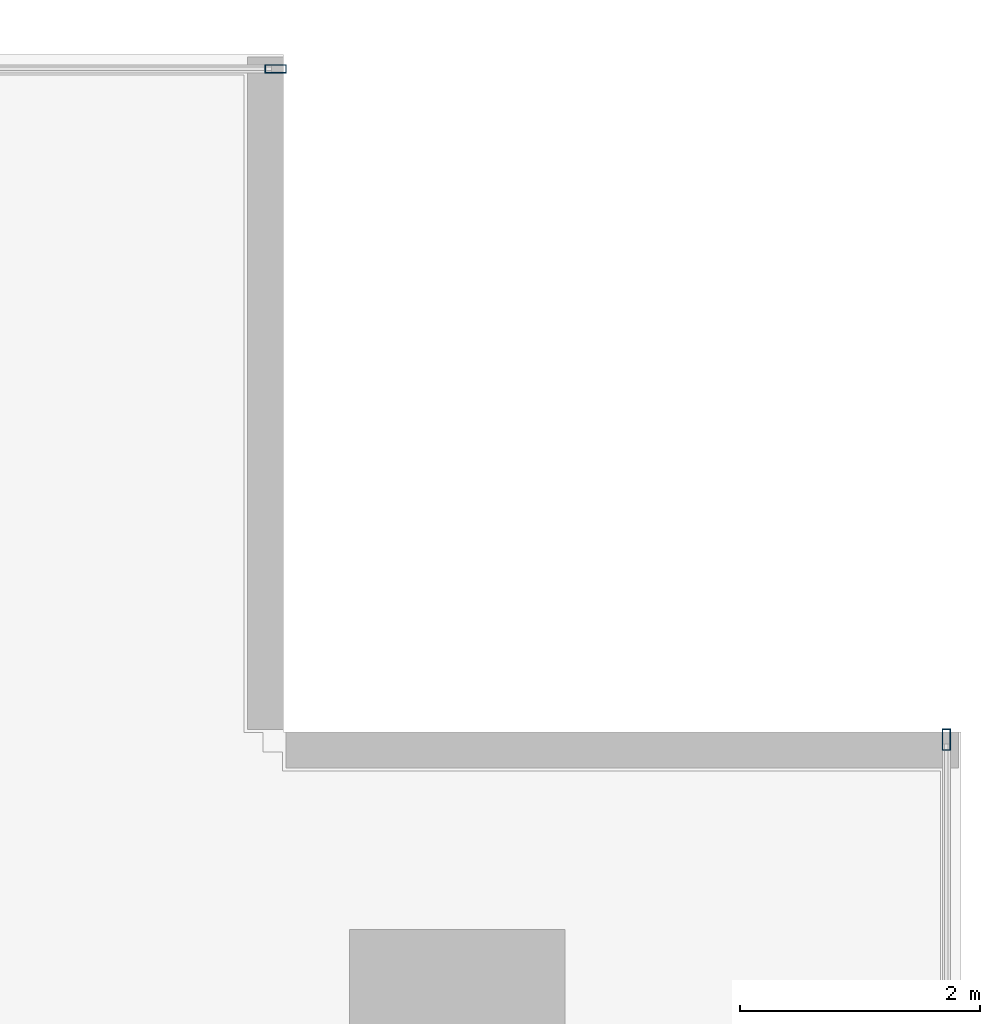
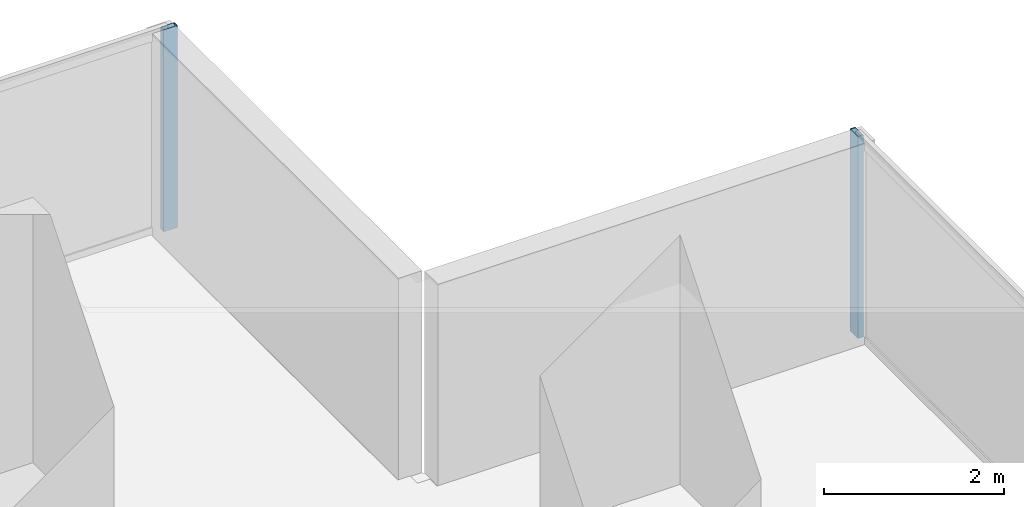
# One storey, part 23 of 34: 2 members, 2 elements without a shape of their own.
"""IFC4 building model written with IfcOpenShell, lengths in metres."""

from ifc_helpers import new_model, si_unit, direction, frame, origin, origin_2d, place, context, subcontext, project, spatial, hollow_rectangle, extrude, source, transform, mapped, material, layer, layer_set, material_profile, profile_set, type_object, element, aggregate, save


model = new_model("IFC4")

# Units and contexts
model_context = context("Model", 3, precision=1e-05, world=origin(), true_north=direction((0.0, 1.0)))
body_context = subcontext(model_context, "Body", "Model", "MODEL_VIEW")
ifc_project = project(units=[si_unit("LENGTHUNIT", "METRE"), si_unit("AREAUNIT", "SQUARE_METRE"), si_unit("VOLUMEUNIT", "CUBIC_METRE"), si_unit("PLANEANGLEUNIT", "RADIAN"), si_unit("MASSUNIT", "GRAM", prefix="KILO")], contexts=[model_context])

# Site, building, storey
site_placement = place(None, origin())
site = spatial("IfcSite", under=ifc_project, at=site_placement, CompositionType="ELEMENT")
building_placement = place(site_placement, origin())
building = spatial("IfcBuilding", under=site, at=building_placement, Name="Sumidabori Civic Tower", CompositionType="ELEMENT")
storey_placement = place(building_placement, frame((0.0, 0.0, 34.39990234375)))
storey = spatial("IfcBuildingStorey", under=building, at=storey_placement, Name="L08", CompositionType="ELEMENT", Elevation=34.39990234375)

# Curtain wall, member
ifc_material = material(Name="Anodised Bronze Aluminium AW-6063-T6", Category="aluminium")
ifc_layer = layer(ifc_material, 0.179931640625, Name="Anodised Bronze Aluminium AW-6063-T6")
ifc_layer_set = layer_set([ifc_layer], Name="Anodised Bronze Aluminium AW-6063-T6")
curtain_wall_type = type_object("IfcCurtainWallType", Name="CW-SYS-2", PredefinedType="NOTDEFINED", material=ifc_layer_set)
curtain_wall_1_placement = place(storey_placement, origin())
curtain_wall_1 = element("IfcCurtainWall", 1, at=curtain_wall_1_placement, inside=storey, type_object=curtain_wall_type, Name="Curtain Wall CW:L08:R04", PredefinedType="NOTDEFINED")
ifc_material_profile = material_profile(ifc_material, hollow_rectangle(XDim=0.070068359375, YDim=0.179931640625, WallThickness=0.006103515625, at=origin_2d()), Name="ALU MULLION 180x70")
ifc_profile_set = profile_set([ifc_material_profile], Name="Anodised Bronze Aluminium AW-6063-T6")
member_type = type_object("IfcMemberType", Name="CW-MUL-180", PredefinedType="MULLION", material=ifc_profile_set)
shared_shape = source(origin(), body_context, "Body", "SweptSolid", [
    extrude(hollow_rectangle(XDim=0.070068359375, YDim=0.179931640625, WallThickness=0.006103515625, at=origin_2d()), origin(), (0.0, 0.0, 1.0), 2.739990234375),
])
member_1_placement = place(storey_placement, frame((26.8798828125, 21.284912109375, 0.0), z_axis=(0.0, 0.0, 1.0), x_axis=(-1.0, 0.0, 0.0)))
member_1 = element("IfcMember", 2, at=member_1_placement, type_object=member_type, Name="CW-2 mullion 6", PredefinedType="MULLION", context=body_context, shape_type="MappedRepresentation", body=[
    mapped(shared_shape, transform((0.0, 0.0, 0.0), x_axis=(1.0, 0.0, 0.0), y_axis=(0.0, 1.0, 0.0), z_axis=(0.0, 0.0, 1.0), scale=1.0)),
])
aggregate(curtain_wall_1, [member_1])

curtain_wall_2_placement = place(storey_placement, origin())
curtain_wall_2 = element("IfcCurtainWall", 3, at=curtain_wall_2_placement, inside=storey, type_object=curtain_wall_type, Name="Curtain Wall CW:L08:R07", PredefinedType="NOTDEFINED")
member_2_placement = place(storey_placement, frame((21.284912109375, 26.8798828125, 0.0), z_axis=(0.0, 0.0, 1.0), x_axis=(0.0, -1.0, 0.0)))
member_2 = element("IfcMember", 4, at=member_2_placement, type_object=member_type, Name="CW-2 mullion 1", PredefinedType="MULLION", context=body_context, shape_type="MappedRepresentation", body=[
    mapped(shared_shape, transform((0.0, 0.0, 0.0), x_axis=(1.0, 0.0, 0.0), y_axis=(0.0, 1.0, 0.0), z_axis=(0.0, 0.0, 1.0), scale=1.0)),
])
aggregate(curtain_wall_2, [member_2])

save(model, "model.ifc")
